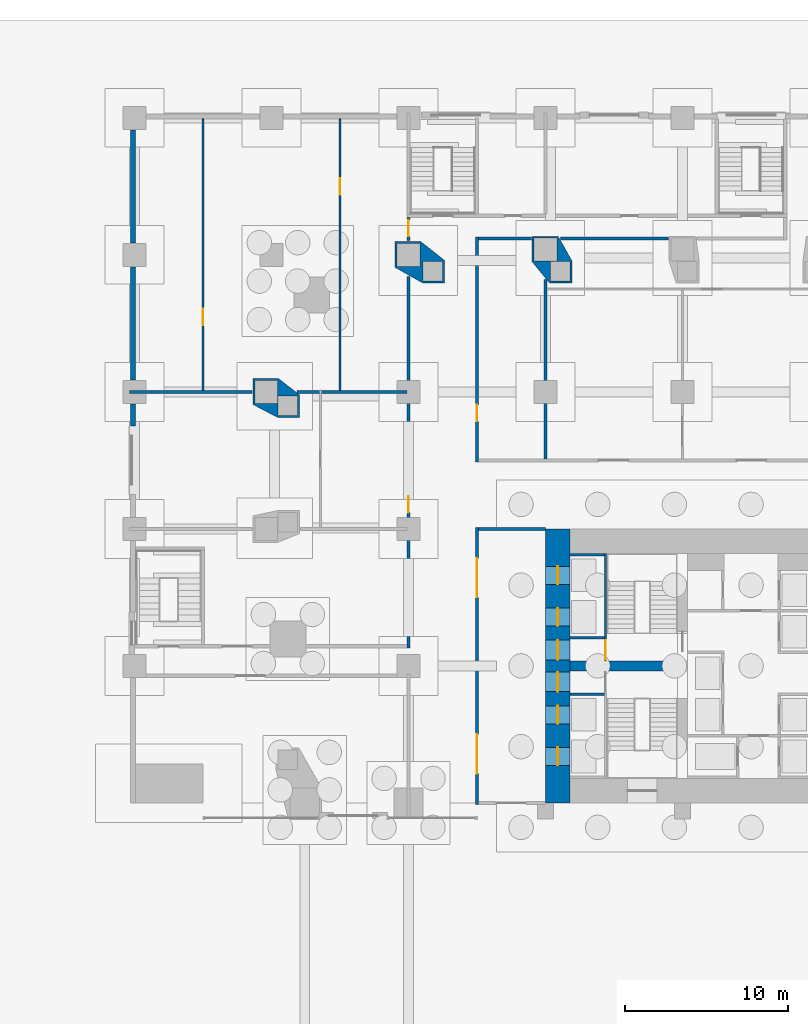
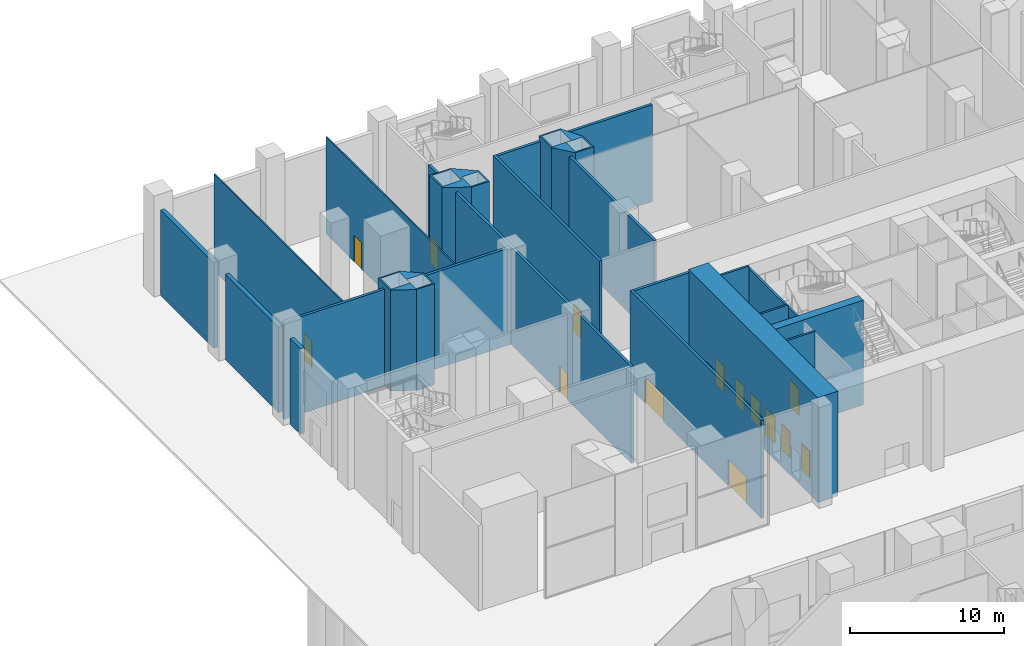
# One storey, part 16 of 31: 24 walls, 14 doors, 14 openings.
"""IFC4 building model written with IfcOpenShell, lengths in metres."""

from ifc_helpers import new_model, si_unit, direction, frame, frame_2d, origin, place, context, subcontext, project, spatial, polyline, rectangle, outline, extrude, material, layer, layer_set, type_object, element, fill, save


model = new_model("IFC4")

# Units and contexts
model_context = context("Model", 3, precision=1e-05, world=origin(), true_north=direction((0.0, 1.0)))
body_context = subcontext(model_context, "Body", "Model", "MODEL_VIEW")
ifc_project = project(units=[si_unit("LENGTHUNIT", "METRE"), si_unit("AREAUNIT", "SQUARE_METRE"), si_unit("VOLUMEUNIT", "CUBIC_METRE"), si_unit("PLANEANGLEUNIT", "RADIAN"), si_unit("MASSUNIT", "GRAM", prefix="KILO")], contexts=[model_context])

# Site, building, storey
site_placement = place(None, origin())
site = spatial("IfcSite", under=ifc_project, at=site_placement, CompositionType="ELEMENT")
building_placement = place(site_placement, origin())
building = spatial("IfcBuilding", under=site, at=building_placement, Name="Marenta Gate Hotel Tower", CompositionType="ELEMENT")
storey_placement = place(building_placement, origin())
storey = spatial("IfcBuildingStorey", under=building, at=storey_placement, Name="L00", CompositionType="ELEMENT", Elevation=0.0)

# Walls
ifc_material_1 = material(Name="Concrete C40 board-marked", Category="concrete")
ifc_layer_1 = layer(ifc_material_1, 0.300048828125)
ifc_layer_set_1 = layer_set([ifc_layer_1], Name="Concrete C40 board-marked")
wall_type_1 = type_object("IfcWallType", Name="Board-marked concrete wall 300 mm", PredefinedType="NOTDEFINED", material=ifc_layer_set_1)
wall_1_placement = place(storey_placement, frame((-37.889892578125, 41.260009765625, 0.0), z_axis=(0.0, 0.0, 1.0), x_axis=(0.0, -1.0, 0.0)))
element("IfcWall", 1, at=wall_1_placement, inside=storey, type_object=wall_type_1, Name="L00-CLD-NB-W000", PredefinedType="NOTDEFINED", context=body_context, shape_type="SweptSolid", body=[
    extrude(rectangle(XDim=6.919921875, YDim=0.300048828125, at=frame_2d((3.4599609375, 0.0))), origin(), (0.0, 0.0, 1.0), 6.780029296875),
])
wall_2_placement = place(storey_placement, frame((-37.889892578125, 32.860107421875, 0.0), z_axis=(0.0, 0.0, 1.0), x_axis=(0.0, -1.0, 0.0)))
element("IfcWall", 2, at=wall_2_placement, inside=storey, type_object=wall_type_1, Name="L00-CLD-NB-W001", PredefinedType="NOTDEFINED", context=body_context, shape_type="SweptSolid", body=[
    extrude(rectangle(XDim=6.920166015625, YDim=0.300048828125, at=frame_2d((3.4599609375, 0.0))), origin(), (0.0, 0.0, 1.0), 6.780029296875),
])
wall_3_placement = place(storey_placement, frame((-37.889892578125, 24.4599609375, 0.0), z_axis=(0.0, 0.0, 1.0), x_axis=(0.0, -1.0, 0.0)))
element("IfcWall", 3, at=wall_3_placement, inside=storey, type_object=wall_type_1, Name="L00-CLD-NB-W002", PredefinedType="NOTDEFINED", context=body_context, shape_type="SweptSolid", body=[
    extrude(rectangle(XDim=1.35986328125, YDim=0.300048828125, at=frame_2d((0.679931640625, 0.0))), origin(), (0.0, 0.0, 1.0), 6.780029296875),
])

# Wall, openings, doors
ifc_material_2 = material(Name="Concrete blockwork", Category="masonry")
ifc_layer_2 = layer(ifc_material_2, 0.199951171875)
ifc_layer_set_2 = layer_set([ifc_layer_2], Name="Concrete blockwork")
wall_type_2 = type_object("IfcWallType", Name="Core boundary wall 200 REI 180", PredefinedType="PARTITIONING", material=ifc_layer_set_2)
wall_4_placement = place(storey_placement, frame((-16.800048828125, -0.10009765625, 0.0), z_axis=(0.0, 0.0, 1.0), x_axis=(0.0, 1.0, 0.0)))
wall_4 = element("IfcWall", 4, at=wall_4_placement, inside=storey, type_object=wall_type_2, Name="L00-CP-BW-W", PredefinedType="PARTITIONING", context=body_context, shape_type="SweptSolid", body=[
    extrude(rectangle(XDim=17.0, YDim=0.199951171875, at=frame_2d((8.5, 0.0))), origin(), (0.0, 0.0, 1.0), 7.780029296875),
])
opening_1_placement = place(wall_4_placement, frame((1.89990234375, 0.0, 0.0)))
opening_1 = element("IfcOpeningElement", 5, at=opening_1_placement, cuts=wall_4, Name="Opening ED-Wa-A", PredefinedType="OPENING", context=body_context, shape_type="SweptSolid", body=[
    extrude(rectangle(XDim=2.39990234375, YDim=2.10009765625, at=frame_2d((1.199951171875, 1.050048828125))), frame((0.0, 0.10009765625, 0.0), z_axis=(0.0, -1.0, 0.0), x_axis=(1.0, 0.0, 0.0)), (0.0, 0.0, 1.0), 0.199951171875),
])
opening_2_placement = place(wall_4_placement, frame((12.699951171875, 0.0, 0.0)))
opening_2 = element("IfcOpeningElement", 6, at=opening_2_placement, cuts=wall_4, Name="Opening ED-Wb-A", PredefinedType="OPENING", context=body_context, shape_type="SweptSolid", body=[
    extrude(rectangle(XDim=2.39990234375, YDim=2.10009765625, at=frame_2d((1.199951171875, 1.050048828125))), frame((0.0, 0.10009765625, 0.0), z_axis=(0.0, -1.0, 0.0), x_axis=(1.0, 0.0, 0.0)), (0.0, 0.0, 1.0), 0.199951171875),
])
ifc_material_3 = material(Name="Steel", Category="steel")
door_type_1 = type_object("IfcDoorType", Name="Core lobby entrance door 2400x2100 EI 60", OperationType="DOUBLE_DOOR_SINGLE_SWING", PredefinedType="DOOR", material=ifc_material_3)
door_1_placement = place(opening_1_placement, origin())
door_1 = element("IfcDoor", 7, at=door_1_placement, inside=storey, type_object=door_type_1, Name="ED-Wa-A", OperationType="DOUBLE_DOOR_SINGLE_SWING", OverallHeight=2.10009765625, OverallWidth=2.39990234375, PredefinedType="DOOR", context=body_context, shape_type="SweptSolid", body=[
    extrude(rectangle(XDim=2.39990234375, YDim=2.10009765625, at=frame_2d((1.199951171875, 1.050048828125))), frame((0.0, 0.02490234375, 0.0), z_axis=(0.0, -1.0, 0.0), x_axis=(1.0, 0.0, 0.0)), (0.0, 0.0, 1.0), 0.050048828125),
])
fill(opening_1, door_1)
door_2_placement = place(opening_2_placement, origin())
door_2 = element("IfcDoor", 8, at=door_2_placement, inside=storey, type_object=door_type_1, Name="ED-Wb-A", OperationType="DOUBLE_DOOR_SINGLE_SWING", OverallHeight=2.10009765625, OverallWidth=2.39990234375, PredefinedType="DOOR", context=body_context, shape_type="SweptSolid", body=[
    extrude(rectangle(XDim=2.39990234375, YDim=2.10009765625, at=frame_2d((1.199951171875, 1.050048828125))), frame((0.0, 0.02490234375, 0.0), z_axis=(0.0, -1.0, 0.0), x_axis=(1.0, 0.0, 0.0)), (0.0, 0.0, 1.0), 0.050048828125),
])
fill(opening_2, door_2)

# Walls
wall_5_placement = place(storey_placement, frame((-16.699951171875, 16.800048828125, 0.0), z_axis=(0.0, 0.0, 1.0), x_axis=(1.0, 0.0, 0.0)))
element("IfcWall", 9, at=wall_5_placement, inside=storey, type_object=wall_type_2, Name="L00-CP-EW-WN", PredefinedType="PARTITIONING", context=body_context, shape_type="SweptSolid", body=[
    extrude(rectangle(XDim=4.099853515625, YDim=0.199951171875, at=frame_2d((2.0498046875, 0.0))), origin(), (0.0, 0.0, 1.0), 7.780029296875),
])
ifc_material_4 = material(Name="Concrete C40", Category="concrete")
ifc_layer_3 = layer(ifc_material_4, 0.14990234375)
ifc_layer_set_3 = layer_set([ifc_layer_3], Name="Concrete C40")
wall_type_3 = type_object("IfcWallType", Name="Core shaft wall 150 REI 180", PredefinedType="SHEAR", material=ifc_layer_set_3)
for number, where, z_axis, x_axis, name in (
    (10, (-11.10009765625, 6.675048828125, -0.300048828125), (0.0, 0.0, 1.0), (1.0, 0.0, 0.0), "L00-SHF-SW-WS-2"),
    (11, (-11.10009765625, 10.125, -0.300048828125), (0.0, 0.0, 1.0), (1.0, 0.0, 0.0), "L00-SHF-SW-WN-2"),
    (12, (-11.10009765625, 15.22509765625, -0.300048828125), (0.0, 0.0, 1.0), (1.0, 0.0, 0.0), "L00-SHF-SW-WN-5"),
):
    element("IfcWall", number, at=place(storey_placement, frame(where, z_axis=z_axis, x_axis=x_axis)), inside=storey, type_object=wall_type_3, Name=name, PredefinedType="SHEAR", context=body_context, shape_type="SweptSolid", body=[
        extrude(rectangle(XDim=2.10009765625, YDim=0.14990234375, at=frame_2d((1.050048828125, 0.0))), origin(), (0.0, 0.0, 1.0), 8.300048828125),
    ])

# Wall, opening, door
ifc_material_5 = material(Name="Concrete C40", Category="concrete")
ifc_layer_4 = layer(ifc_material_5, 0.14990234375)
ifc_layer_set_4 = layer_set([ifc_layer_4], Name="Concrete C40")
wall_type_4 = type_object("IfcWallType", Name="Core stair enclosure wall 150 REI 180", PredefinedType="SHEAR", material=ifc_layer_set_4)
wall_6_placement = place(storey_placement, frame((-8.925048828125, 8.699951171875, 0.0), z_axis=(0.0, 0.0, 1.0), x_axis=(0.0, 1.0, 0.0)))
wall_6 = element("IfcWall", 13, at=wall_6_placement, inside=storey, type_object=wall_type_4, Name="L00-SHF-SW-WN-3", PredefinedType="SHEAR", context=body_context, shape_type="SweptSolid", body=[
    extrude(rectangle(XDim=6.60009765625, YDim=0.14990234375, at=frame_2d((3.300048828125, 0.0))), origin(), (0.0, 0.0, 1.0), 7.780029296875),
])
opening_3_placement = place(wall_6_placement, frame((0.074951171875, 0.0, 0.0)))
opening_3 = element("IfcOpeningElement", 14, at=opening_3_placement, cuts=wall_6, Name="Opening SD-WN", PredefinedType="OPENING", context=body_context, shape_type="SweptSolid", body=[
    extrude(rectangle(XDim=1.199951171875, YDim=2.10009765625, at=frame_2d((0.60009765625, 1.050048828125))), frame((0.0, 0.074951171875, 0.0), z_axis=(0.0, -1.0, 0.0), x_axis=(1.0, 0.0, 0.0)), (0.0, 0.0, 1.0), 0.14990234375),
])
ifc_material_6 = material(Name="Steel", Category="steel")
door_type_2 = type_object("IfcDoorType", Name="Core stair door 1200x2100 FD60", OperationType="SINGLE_SWING_LEFT", PredefinedType="DOOR", material=ifc_material_6)
door_3_placement = place(opening_3_placement, origin())
door_3 = element("IfcDoor", 15, at=door_3_placement, inside=storey, type_object=door_type_2, Name="SD-WN", OperationType="SINGLE_SWING_LEFT", OverallHeight=2.10009765625, OverallWidth=1.199951171875, PredefinedType="DOOR", context=body_context, shape_type="SweptSolid", body=[
    extrude(rectangle(XDim=1.199951171875, YDim=2.10009765625, at=frame_2d((0.60009765625, 1.050048828125))), frame((0.0, 0.02490234375, 0.0), z_axis=(0.0, -1.0, 0.0), x_axis=(1.0, 0.0, 0.0)), (0.0, 0.0, 1.0), 0.050048828125),
])
fill(opening_3, door_3)

# Wall, openings, doors
ifc_material_7 = material(Name="Concrete C80", Category="concrete")
ifc_layer_5 = layer(ifc_material_7, 1.5)
ifc_layer_set_5 = layer_set([ifc_layer_5], Name="Concrete C80")
wall_type_5 = type_object("IfcWallType", Name="Core wall 1500 C80", PredefinedType="SHEAR", material=ifc_layer_set_5)
wall_7_placement = place(storey_placement, frame((-11.85009765625, 0.0, -0.300048828125), z_axis=(0.0, 0.0, 1.0), x_axis=(0.0, 1.0, 0.0)))
wall_7 = element("IfcWall", 16, at=wall_7_placement, inside=storey, type_object=wall_type_5, Name="L00-CORE-W", PredefinedType="SHEAR", context=body_context, shape_type="SweptSolid", body=[
    extrude(rectangle(XDim=16.800048828125, YDim=1.5, at=frame_2d((8.39990234375, 0.0))), origin(), (0.0, 0.0, 1.0), 8.300048828125),
])
opening_4_placement = place(wall_7_placement, frame((2.300048828125, 0.0, 0.300048828125)))
opening_4 = element("IfcOpeningElement", 17, at=opening_4_placement, cuts=wall_7, Name="Opening LD-LR1", PredefinedType="OPENING", context=body_context, shape_type="SweptSolid", body=[
    extrude(rectangle(XDim=1.10009765625, YDim=2.10009765625, at=frame_2d((0.550048828125, 1.050048828125))), frame((0.0, 0.75, 0.0), z_axis=(0.0, -1.0, 0.0), x_axis=(1.0, 0.0, 0.0)), (0.0, 0.0, 1.0), 1.5),
])
opening_5_placement = place(wall_7_placement, frame((4.85009765625, 0.0, 0.300048828125)))
opening_5 = element("IfcOpeningElement", 18, at=opening_5_placement, cuts=wall_7, Name="Opening LD-LR2", PredefinedType="OPENING", context=body_context, shape_type="SweptSolid", body=[
    extrude(rectangle(XDim=1.10009765625, YDim=2.10009765625, at=frame_2d((0.550048828125, 1.050048828125))), frame((0.0, 0.75, 0.0), z_axis=(0.0, -1.0, 0.0), x_axis=(1.0, 0.0, 0.0)), (0.0, 0.0, 1.0), 1.5),
])
opening_6_placement = place(wall_7_placement, frame((6.824951171875, 0.0, 0.300048828125)))
opening_6 = element("IfcOpeningElement", 19, at=opening_6_placement, cuts=wall_7, Name="Opening PD-WS", PredefinedType="OPENING", context=body_context, shape_type="SweptSolid", body=[
    extrude(rectangle(XDim=1.199951171875, YDim=2.10009765625, at=frame_2d((0.60009765625, 1.050048828125))), frame((0.0, 0.75, 0.0), z_axis=(0.0, -1.0, 0.0), x_axis=(1.0, 0.0, 0.0)), (0.0, 0.0, 1.0), 1.5),
])
opening_7_placement = place(wall_7_placement, frame((13.39990234375, 0.0, 0.300048828125)))
opening_7 = element("IfcOpeningElement", 20, at=opening_7_placement, cuts=wall_7, Name="Opening LD-LR4", PredefinedType="OPENING", context=body_context, shape_type="SweptSolid", body=[
    extrude(rectangle(XDim=1.10009765625, YDim=2.10009765625, at=frame_2d((0.550048828125, 1.050048828125))), frame((0.0, 0.75, 0.0), z_axis=(0.0, -1.0, 0.0), x_axis=(1.0, 0.0, 0.0)), (0.0, 0.0, 1.0), 1.5),
])
opening_8_placement = place(wall_7_placement, frame((10.85009765625, 0.0, 0.300048828125)))
opening_8 = element("IfcOpeningElement", 21, at=opening_8_placement, cuts=wall_7, Name="Opening LD-LR3", PredefinedType="OPENING", context=body_context, shape_type="SweptSolid", body=[
    extrude(rectangle(XDim=1.10009765625, YDim=2.10009765625, at=frame_2d((0.550048828125, 1.050048828125))), frame((0.0, 0.75, 0.0), z_axis=(0.0, -1.0, 0.0), x_axis=(1.0, 0.0, 0.0)), (0.0, 0.0, 1.0), 1.5),
])
opening_9_placement = place(wall_7_placement, frame((8.77490234375, 0.0, 0.300048828125)))
opening_9 = element("IfcOpeningElement", 22, at=opening_9_placement, cuts=wall_7, Name="Opening PD-WN", PredefinedType="OPENING", context=body_context, shape_type="SweptSolid", body=[
    extrude(rectangle(XDim=1.199951171875, YDim=2.10009765625, at=frame_2d((0.60009765625, 1.050048828125))), frame((0.0, 0.75, 0.0), z_axis=(0.0, -1.0, 0.0), x_axis=(1.0, 0.0, 0.0)), (0.0, 0.0, 1.0), 1.5),
])
ifc_material_8 = material(Name="Steel", Category="steel")
door_type_3 = type_object("IfcDoorType", Name="Core lift landing door 1100x2100 E 60", OperationType="SLIDING_TO_LEFT", PredefinedType="DOOR", material=ifc_material_8)
door_4_placement = place(opening_4_placement, origin())
door_4 = element("IfcDoor", 23, at=door_4_placement, inside=storey, type_object=door_type_3, Name="LD-LR1", OperationType="SLIDING_TO_LEFT", OverallHeight=2.10009765625, OverallWidth=1.10009765625, PredefinedType="DOOR", context=body_context, shape_type="SweptSolid", body=[
    extrude(rectangle(XDim=1.10009765625, YDim=2.10009765625, at=frame_2d((0.550048828125, 1.050048828125))), frame((0.0, 0.02490234375, 0.0), z_axis=(0.0, -1.0, 0.0), x_axis=(1.0, 0.0, 0.0)), (0.0, 0.0, 1.0), 0.050048828125),
])
fill(opening_4, door_4)
door_5_placement = place(opening_5_placement, origin())
door_5 = element("IfcDoor", 24, at=door_5_placement, inside=storey, type_object=door_type_3, Name="LD-LR2", OperationType="SLIDING_TO_LEFT", OverallHeight=2.10009765625, OverallWidth=1.10009765625, PredefinedType="DOOR", context=body_context, shape_type="SweptSolid", body=[
    extrude(rectangle(XDim=1.10009765625, YDim=2.10009765625, at=frame_2d((0.550048828125, 1.050048828125))), frame((0.0, 0.02490234375, 0.0), z_axis=(0.0, -1.0, 0.0), x_axis=(1.0, 0.0, 0.0)), (0.0, 0.0, 1.0), 0.050048828125),
])
fill(opening_5, door_5)
door_6_placement = place(opening_7_placement, origin())
door_6 = element("IfcDoor", 25, at=door_6_placement, inside=storey, type_object=door_type_3, Name="LD-LR4", OperationType="SLIDING_TO_LEFT", OverallHeight=2.10009765625, OverallWidth=1.10009765625, PredefinedType="DOOR", context=body_context, shape_type="SweptSolid", body=[
    extrude(rectangle(XDim=1.10009765625, YDim=2.10009765625, at=frame_2d((0.550048828125, 1.050048828125))), frame((0.0, 0.02490234375, 0.0), z_axis=(0.0, -1.0, 0.0), x_axis=(1.0, 0.0, 0.0)), (0.0, 0.0, 1.0), 0.050048828125),
])
fill(opening_7, door_6)
door_7_placement = place(opening_8_placement, origin())
door_7 = element("IfcDoor", 26, at=door_7_placement, inside=storey, type_object=door_type_3, Name="LD-LR3", OperationType="SLIDING_TO_LEFT", OverallHeight=2.10009765625, OverallWidth=1.10009765625, PredefinedType="DOOR", context=body_context, shape_type="SweptSolid", body=[
    extrude(rectangle(XDim=1.10009765625, YDim=2.10009765625, at=frame_2d((0.550048828125, 1.050048828125))), frame((0.0, 0.02490234375, 0.0), z_axis=(0.0, -1.0, 0.0), x_axis=(1.0, 0.0, 0.0)), (0.0, 0.0, 1.0), 0.050048828125),
])
fill(opening_8, door_7)
ifc_material_9 = material(Name="Steel", Category="steel")
door_type_4 = type_object("IfcDoorType", Name="Core lobby door 1200x2100 FD60", OperationType="SINGLE_SWING_LEFT", PredefinedType="DOOR", material=ifc_material_9)
door_8_placement = place(opening_6_placement, origin())
door_8 = element("IfcDoor", 27, at=door_8_placement, inside=storey, type_object=door_type_4, Name="PD-WS", OperationType="SINGLE_SWING_LEFT", OverallHeight=2.10009765625, OverallWidth=1.199951171875, PredefinedType="DOOR", context=body_context, shape_type="SweptSolid", body=[
    extrude(rectangle(XDim=1.199951171875, YDim=2.10009765625, at=frame_2d((0.60009765625, 1.050048828125))), frame((0.0, 0.02490234375, 0.0), z_axis=(0.0, -1.0, 0.0), x_axis=(1.0, 0.0, 0.0)), (0.0, 0.0, 1.0), 0.050048828125),
])
fill(opening_6, door_8)
door_9_placement = place(opening_9_placement, origin())
door_9 = element("IfcDoor", 28, at=door_9_placement, inside=storey, type_object=door_type_4, Name="PD-WN", OperationType="SINGLE_SWING_LEFT", OverallHeight=2.10009765625, OverallWidth=1.199951171875, PredefinedType="DOOR", context=body_context, shape_type="SweptSolid", body=[
    extrude(rectangle(XDim=1.199951171875, YDim=2.10009765625, at=frame_2d((0.60009765625, 1.050048828125))), frame((0.0, 0.02490234375, 0.0), z_axis=(0.0, -1.0, 0.0), x_axis=(1.0, 0.0, 0.0)), (0.0, 0.0, 1.0), 0.050048828125),
])
fill(opening_9, door_9)

# Walls
ifc_material_10 = material(Name="Concrete C80", Category="concrete")
ifc_layer_6 = layer(ifc_material_10, 0.60009765625)
ifc_layer_set_6 = layer_set([ifc_layer_6], Name="Concrete C80")
wall_type_6 = type_object("IfcWallType", Name="Core web 600 C80", PredefinedType="SHEAR", material=ifc_layer_set_6)
wall_8_placement = place(storey_placement, frame((-11.10009765625, 8.39990234375, -0.300048828125), z_axis=(0.0, 0.0, 1.0), x_axis=(1.0, 0.0, 0.0)))
element("IfcWall", 29, at=wall_8_placement, inside=storey, type_object=wall_type_6, Name="L00-CORE-W3", PredefinedType="SHEAR", context=body_context, shape_type="SweptSolid", body=[
    extrude(rectangle(XDim=6.60009765625, YDim=0.60009765625, at=frame_2d((3.300048828125, 0.0))), origin(), (0.0, 0.0, 1.0), 8.300048828125),
])
ifc_material_11 = material(Name="Concrete C70", Category="concrete")
ifc_layer_7 = layer(ifc_material_11, 1.60009765625)
ifc_layer_set_7 = layer_set([ifc_layer_7], Name="Concrete C70")
wall_type_7 = type_object("IfcWallType", Name="Pier wall board-marked concrete C70", PredefinedType="SOLIDWALL", material=ifc_layer_set_7)
wall_9_placement = place(storey_placement, origin())
element("IfcWall", 30, at=wall_9_placement, inside=storey, type_object=wall_type_7, Name="L00-PIER-3", PredefinedType="SOLIDWALL", context=body_context, shape_type="SweptSolid", body=[
    extrude(outline(polyline([(-30.5400390625, 24.427490234375), (-30.5400390625, 26.02001953125), (-28.97900390625, 26.02001953125), (-27.679931640625, 25.015380859375), (-27.679931640625, 23.636474609375), (-29.029541015625, 23.636474609375), (-30.5400390625, 24.427490234375)]), holes=[polyline([(-29.0, 23.75634765625), (-27.800048828125, 23.75634765625), (-27.800048828125, 24.956298828125), (-29.0, 24.956298828125), (-29.0, 23.75634765625)]), polyline([(-30.419921875, 24.5), (-29.02001953125, 24.5), (-29.02001953125, 25.89990234375), (-30.419921875, 25.89990234375), (-30.419921875, 24.5)])]), origin(), (0.0, 0.0, 1.0), 8.0),
])
wall_10_placement = place(storey_placement, origin())
element("IfcWall", 31, at=wall_10_placement, inside=storey, type_object=wall_type_7, Name="L00-PIER-4", PredefinedType="SOLIDWALL", context=body_context, shape_type="SweptSolid", body=[
    extrude(outline(polyline([(-21.820068359375, 34.419921875), (-20.25830078125, 34.419921875), (-18.786865234375, 33.258056640625), (-18.786865234375, 31.8798828125), (-20.138427734375, 31.8798828125), (-21.820068359375, 32.830078125), (-21.820068359375, 34.419921875)]), holes=[polyline([(-18.906982421875, 32.0), (-18.906982421875, 33.199951171875), (-20.10693359375, 33.199951171875), (-20.10693359375, 32.0), (-18.906982421875, 32.0)]), polyline([(-20.300048828125, 32.89990234375), (-20.300048828125, 34.300048828125), (-21.699951171875, 34.300048828125), (-21.699951171875, 32.89990234375), (-20.300048828125, 32.89990234375)])]), origin(), (0.0, 0.0, 1.0), 8.0),
])
wall_11_placement = place(storey_placement, origin())
element("IfcWall", 32, at=wall_11_placement, inside=storey, type_object=wall_type_7, Name="L00-PIER-5", PredefinedType="SOLIDWALL", context=body_context, shape_type="SweptSolid", body=[
    extrude(outline(polyline([(-13.419921875, 34.739990234375), (-11.82958984375, 34.739990234375), (-10.984130859375, 33.2314453125), (-10.984130859375, 31.8798828125), (-12.361083984375, 31.8798828125), (-13.419921875, 33.17724609375), (-13.419921875, 34.739990234375)]), holes=[polyline([(-11.10400390625, 32.0), (-11.10400390625, 33.199951171875), (-12.30419921875, 33.199951171875), (-12.30419921875, 32.0), (-11.10400390625, 32.0)]), polyline([(-11.89990234375, 33.219970703125), (-11.89990234375, 34.6201171875), (-13.300048828125, 34.6201171875), (-13.300048828125, 33.219970703125), (-11.89990234375, 33.219970703125)])]), origin(), (0.0, 0.0, 1.0), 8.0),
])

# Wall, opening, door
ifc_material_12 = material(Name="Gypsum board on steel stud", Category="steel")
ifc_layer_8 = layer(ifc_material_12, 0.199951171875)
ifc_layer_set_8 = layer_set([ifc_layer_8], Name="Gypsum board on steel stud")
wall_type_8 = type_object("IfcWallType", Name="Room corridor wall 200 EI 60", PredefinedType="PARTITIONING", material=ifc_layer_set_8)
wall_12_placement = place(storey_placement, frame((-16.800048828125, 20.89990234375, 0.0), z_axis=(0.0, 0.0, 1.0), x_axis=(0.0, 1.0, 0.0)))
wall_12 = element("IfcWall", 33, at=wall_12_placement, inside=storey, type_object=wall_type_8, Name="L00-PTN-W050", PredefinedType="PARTITIONING", context=body_context, shape_type="SweptSolid", body=[
    extrude(rectangle(XDim=13.800048828125, YDim=0.199951171875, at=frame_2d((6.89990234375, 0.0))), origin(), (0.0, 0.0, 1.0), 7.679931640625),
])
opening_10_placement = place(wall_12_placement, frame((2.5, 0.0, 0.0)))
opening_10 = element("IfcOpeningElement", 34, at=opening_10_placement, cuts=wall_12, Name="Opening S01-17", PredefinedType="OPENING", context=body_context, shape_type="SweptSolid", body=[
    extrude(rectangle(XDim=1.0, YDim=2.10009765625, at=frame_2d((0.5, 1.050048828125))), frame((0.0, 0.10009765625, 0.0), z_axis=(0.0, -1.0, 0.0), x_axis=(1.0, 0.0, 0.0)), (0.0, 0.0, 1.0), 0.199951171875),
])
ifc_material_13 = material(Name="Timber door leaf", Category="wood")
door_type_5 = type_object("IfcDoorType", Name="Room amenity door 1000x2100 EI 30", OperationType="NOTDEFINED", PredefinedType="DOOR", material=ifc_material_13)
door_10_placement = place(opening_10_placement, origin())
door_10 = element("IfcDoor", 35, at=door_10_placement, inside=storey, type_object=door_type_5, Name="L00-PD-D017", OperationType="SINGLE_SWING_LEFT", OverallHeight=2.10009765625, OverallWidth=1.0, PredefinedType="DOOR", context=body_context, shape_type="SweptSolid", body=[
    extrude(rectangle(XDim=1.0, YDim=2.10009765625, at=frame_2d((0.5, 1.050048828125))), frame((0.0, 0.02490234375, 0.0), z_axis=(0.0, -1.0, 0.0), x_axis=(1.0, 0.0, 0.0)), (0.0, 0.0, 1.0), 0.050048828125),
])
fill(opening_10, door_10)

wall_13_placement = place(storey_placement, frame((-21.0, 9.5, 0.0), z_axis=(0.0, 0.0, 1.0), x_axis=(0.0, 1.0, 0.0)))
wall_13 = element("IfcWall", 36, at=wall_13_placement, inside=storey, type_object=wall_type_8, Name="L00-PTN-W057", PredefinedType="PARTITIONING", context=body_context, shape_type="SweptSolid", body=[
    extrude(rectangle(XDim=22.7880859375, YDim=0.199951171875, at=frame_2d((11.39404296875, 0.0))), origin(), (0.0, 0.0, 1.0), 7.679931640625),
])
opening_11_placement = place(wall_13_placement, frame((8.300048828125, 0.0, 0.0)))
opening_11 = element("IfcOpeningElement", 37, at=opening_11_placement, cuts=wall_13, Name="Opening S01-05", PredefinedType="OPENING", context=body_context, shape_type="SweptSolid", body=[
    extrude(rectangle(XDim=1.0, YDim=2.10009765625, at=frame_2d((0.5, 1.050048828125))), frame((0.0, 0.10009765625, 0.0), z_axis=(0.0, -1.0, 0.0), x_axis=(1.0, 0.0, 0.0)), (0.0, 0.0, 1.0), 0.199951171875),
])
door_11_placement = place(opening_11_placement, origin())
door_11 = element("IfcDoor", 38, at=door_11_placement, inside=storey, type_object=door_type_5, Name="L00-PD-D005", OperationType="SINGLE_SWING_RIGHT", OverallHeight=2.10009765625, OverallWidth=1.0, PredefinedType="DOOR", context=body_context, shape_type="SweptSolid", body=[
    extrude(rectangle(XDim=1.0, YDim=2.10009765625, at=frame_2d((0.5, 1.050048828125))), frame((0.0, 0.02490234375, 0.0), z_axis=(0.0, -1.0, 0.0), x_axis=(1.0, 0.0, 0.0)), (0.0, 0.0, 1.0), 0.050048828125),
])
fill(opening_11, door_11)

wall_14_placement = place(storey_placement, frame((-21.0, 34.469970703125, 0.0), z_axis=(0.0, 0.0, 1.0), x_axis=(0.0, 1.0, 0.0)))
wall_14 = element("IfcWall", 39, at=wall_14_placement, inside=storey, type_object=wall_type_8, Name="L00-PTN-W058", PredefinedType="PARTITIONING", context=body_context, shape_type="SweptSolid", body=[
    extrude(rectangle(XDim=1.429931640625, YDim=0.199951171875, at=frame_2d((0.71484375, 0.0))), origin(), (0.0, 0.0, 1.0), 7.679931640625),
])
opening_12_placement = place(wall_14_placement, frame((0.264892578125, 0.0, 0.0)))
opening_12 = element("IfcOpeningElement", 40, at=opening_12_placement, cuts=wall_14, Name="Opening S01-07", PredefinedType="OPENING", context=body_context, shape_type="SweptSolid", body=[
    extrude(rectangle(XDim=1.0, YDim=2.10009765625, at=frame_2d((0.5, 1.050048828125))), frame((0.0, 0.10009765625, 0.0), z_axis=(0.0, -1.0, 0.0), x_axis=(1.0, 0.0, 0.0)), (0.0, 0.0, 1.0), 0.199951171875),
])
door_12_placement = place(opening_12_placement, origin())
door_12 = element("IfcDoor", 41, at=door_12_placement, inside=storey, type_object=door_type_5, Name="L00-PD-D007", OperationType="SINGLE_SWING_LEFT", OverallHeight=2.10009765625, OverallWidth=1.0, PredefinedType="DOOR", context=body_context, shape_type="SweptSolid", body=[
    extrude(rectangle(XDim=1.0, YDim=2.10009765625, at=frame_2d((0.5, 1.050048828125))), frame((0.0, 0.02490234375, 0.0), z_axis=(0.0, -1.0, 0.0), x_axis=(1.0, 0.0, 0.0)), (0.0, 0.0, 1.0), 0.050048828125),
])
fill(opening_12, door_12)

# Walls
ifc_material_14 = material(Name="Concrete blockwork", Category="masonry")
ifc_layer_9 = layer(ifc_material_14, 0.199951171875)
ifc_layer_set_9 = layer_set([ifc_layer_9], Name="Concrete blockwork")
wall_type_9 = type_object("IfcWallType", Name="Room corridor wall 200 REI 180", PredefinedType="PARTITIONING", material=ifc_layer_set_9)
wall_15_placement = place(storey_placement, frame((-16.699951171875, 34.60009765625, 0.0), z_axis=(0.0, 0.0, 1.0), x_axis=(1.0, 0.0, 0.0)))
element("IfcWall", 42, at=wall_15_placement, inside=storey, type_object=wall_type_9, Name="L00-PTN-W074", PredefinedType="PARTITIONING", context=body_context, shape_type="SweptSolid", body=[
    extrude(rectangle(XDim=3.22998046875, YDim=0.199951171875, at=frame_2d((1.614990234375, 0.0))), origin(), (0.0, 0.0, 1.0), 7.679931640625),
])
wall_16_placement = place(storey_placement, frame((-11.694091796875, 34.60009765625, 0.0), z_axis=(0.0, 0.0, 1.0), x_axis=(1.0, 0.0, 0.0)))
element("IfcWall", 43, at=wall_16_placement, inside=storey, type_object=wall_type_9, Name="L00-PTN-W075", PredefinedType="PARTITIONING", context=body_context, shape_type="SweptSolid", body=[
    extrude(rectangle(XDim=6.6240234375, YDim=0.199951171875, at=frame_2d((3.31201171875, 0.0))), origin(), (0.0, 0.0, 1.0), 7.679931640625),
])

# Wall, opening, door
ifc_material_15 = material(Name="Gypsum board on steel stud", Category="steel")
ifc_layer_10 = layer(ifc_material_15, 0.10009765625)
ifc_layer_set_10 = layer_set([ifc_layer_10], Name="Gypsum board on steel stud")
wall_type_10 = type_object("IfcWallType", Name="Room partition 100", PredefinedType="PARTITIONING", material=ifc_layer_set_10)
wall_17_placement = place(storey_placement, frame((-25.199951171875, 25.300048828125, 0.0), z_axis=(0.0, 0.0, 1.0), x_axis=(0.0, 1.0, 0.0)))
wall_17 = element("IfcWall", 44, at=wall_17_placement, inside=storey, type_object=wall_type_10, Name="L00-PTN-W061", PredefinedType="PARTITIONING", context=body_context, shape_type="SweptSolid", body=[
    extrude(rectangle(XDim=16.639892578125, YDim=0.10009765625, at=frame_2d((8.31982421875, 0.0))), origin(), (0.0, 0.0, 1.0), 7.679931640625),
])
opening_13_placement = place(wall_17_placement, frame((12.0, 0.0, 0.0)))
opening_13 = element("IfcOpeningElement", 45, at=opening_13_placement, cuts=wall_17, Name="Opening S01-08", PredefinedType="OPENING", context=body_context, shape_type="SweptSolid", body=[
    extrude(rectangle(XDim=1.0, YDim=2.10009765625, at=frame_2d((0.5, 1.050048828125))), frame((0.0, 0.050048828125, 0.0), z_axis=(0.0, -1.0, 0.0), x_axis=(1.0, 0.0, 0.0)), (0.0, 0.0, 1.0), 0.10009765625),
])
ifc_material_16 = material(Name="Timber door leaf", Category="wood")
door_type_6 = type_object("IfcDoorType", Name="Room inner door 1000x2100", OperationType="NOTDEFINED", PredefinedType="DOOR", material=ifc_material_16)
door_13_placement = place(opening_13_placement, origin())
door_13 = element("IfcDoor", 46, at=door_13_placement, inside=storey, type_object=door_type_6, Name="L00-PD-D008", OperationType="SINGLE_SWING_LEFT", OverallHeight=2.10009765625, OverallWidth=1.0, PredefinedType="DOOR", context=body_context, shape_type="SweptSolid", body=[
    extrude(rectangle(XDim=1.0, YDim=2.10009765625, at=frame_2d((0.5, 1.050048828125))), frame((0.0, 0.02490234375, 0.0), z_axis=(0.0, -1.0, 0.0), x_axis=(1.0, 0.0, 0.0)), (0.0, 0.0, 1.0), 0.050048828125),
])
fill(opening_13, door_13)

wall_18_placement = place(storey_placement, frame((-33.60009765625, 25.300048828125, 0.0), z_axis=(0.0, 0.0, 1.0), x_axis=(0.0, 1.0, 0.0)))
wall_18 = element("IfcWall", 47, at=wall_18_placement, inside=storey, type_object=wall_type_10, Name="L00-PTN-W073", PredefinedType="PARTITIONING", context=body_context, shape_type="SweptSolid", body=[
    extrude(rectangle(XDim=16.639892578125, YDim=0.10009765625, at=frame_2d((8.31982421875, 0.0))), origin(), (0.0, 0.0, 1.0), 7.679931640625),
])
opening_14_placement = place(wall_18_placement, frame((4.0, 0.0, 0.0)))
opening_14 = element("IfcOpeningElement", 48, at=opening_14_placement, cuts=wall_18, Name="Opening S01-09", PredefinedType="OPENING", context=body_context, shape_type="SweptSolid", body=[
    extrude(rectangle(XDim=1.0, YDim=2.10009765625, at=frame_2d((0.5, 1.050048828125))), frame((0.0, 0.050048828125, 0.0), z_axis=(0.0, -1.0, 0.0), x_axis=(1.0, 0.0, 0.0)), (0.0, 0.0, 1.0), 0.10009765625),
])
ifc_material_17 = material(Name="Hollow steel door set", Category="steel")
door_type_7 = type_object("IfcDoorType", Name="Room service door 1000x2100", OperationType="NOTDEFINED", PredefinedType="DOOR", material=ifc_material_17)
door_14_placement = place(opening_14_placement, origin())
door_14 = element("IfcDoor", 49, at=door_14_placement, inside=storey, type_object=door_type_7, Name="L00-PD-D009", OperationType="SINGLE_SWING_LEFT", OverallHeight=2.10009765625, OverallWidth=1.0, PredefinedType="DOOR", context=body_context, shape_type="SweptSolid", body=[
    extrude(rectangle(XDim=1.0, YDim=2.10009765625, at=frame_2d((0.5, 1.050048828125))), frame((0.0, 0.02490234375, 0.0), z_axis=(0.0, -1.0, 0.0), x_axis=(1.0, 0.0, 0.0)), (0.0, 0.0, 1.0), 0.050048828125),
])
fill(opening_14, door_14)

# Walls
ifc_material_18 = material(Name="Concrete blockwork", Category="masonry")
ifc_layer_11 = layer(ifc_material_18, 0.199951171875)
ifc_layer_set_11 = layer_set([ifc_layer_11], Name="Concrete blockwork")
wall_type_11 = type_object("IfcWallType", Name="Room party wall 200 EI 120", PredefinedType="PARTITIONING", material=ifc_layer_set_11)
wall_19_placement = place(storey_placement, frame((-12.60009765625, 21.10009765625, 0.0), z_axis=(0.0, 0.0, 1.0), x_axis=(0.0, 1.0, 0.0)))
element("IfcWall", 50, at=wall_19_placement, inside=storey, type_object=wall_type_11, Name="L00-PTN-W046", PredefinedType="PARTITIONING", context=body_context, shape_type="SweptSolid", body=[
    extrude(rectangle(XDim=10.993896484375, YDim=0.199951171875, at=frame_2d((5.4970703125, 0.0))), origin(), (0.0, 0.0, 1.0), 7.679931640625),
])
wall_20_placement = place(storey_placement, frame((-38.10009765625, 25.199951171875, 0.0), z_axis=(0.0, 0.0, 1.0), x_axis=(1.0, 0.0, 0.0)))
element("IfcWall", 51, at=wall_20_placement, inside=storey, type_object=wall_type_11, Name="L00-PTN-W062", PredefinedType="PARTITIONING", context=body_context, shape_type="SweptSolid", body=[
    extrude(rectangle(XDim=7.510009765625, YDim=0.199951171875, at=frame_2d((3.7548828125, 0.0))), origin(), (0.0, 0.0, 1.0), 7.679931640625),
])
wall_21_placement = place(storey_placement, frame((-27.8369140625, 25.199951171875, 0.0), z_axis=(0.0, 0.0, 1.0), x_axis=(1.0, 0.0, 0.0)))
element("IfcWall", 52, at=wall_21_placement, inside=storey, type_object=wall_type_11, Name="L00-PTN-W063", PredefinedType="PARTITIONING", context=body_context, shape_type="SweptSolid", body=[
    extrude(rectangle(XDim=6.73681640625, YDim=0.199951171875, at=frame_2d((3.368408203125, 0.0))), origin(), (0.0, 0.0, 1.0), 7.679931640625),
])

save(model, "model.ifc")
